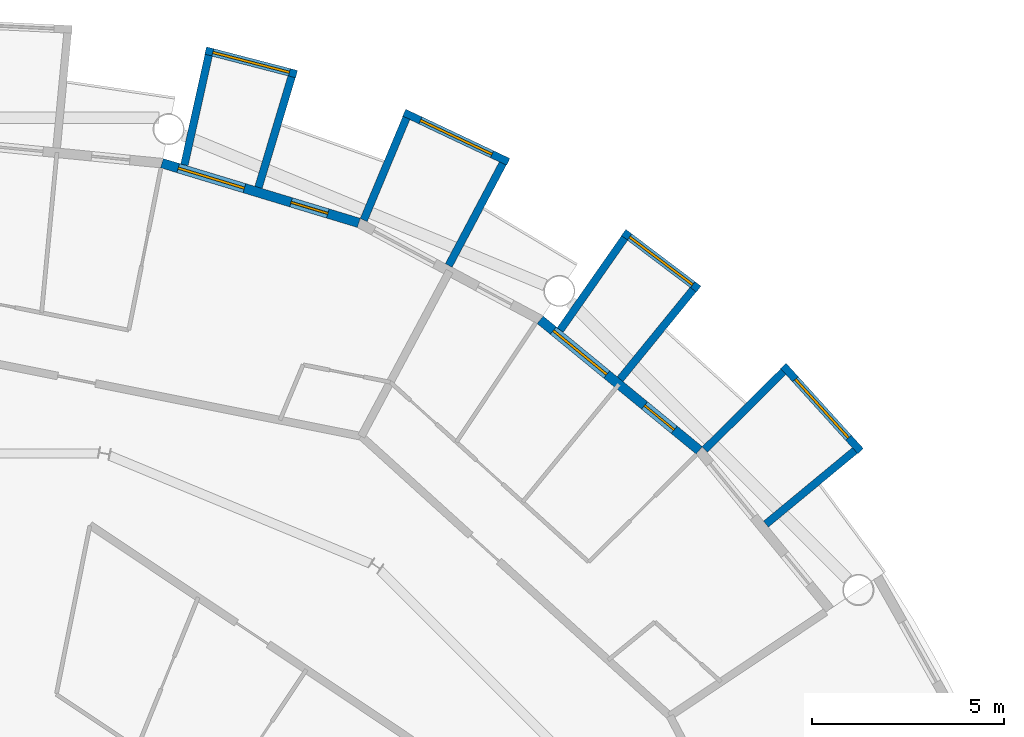
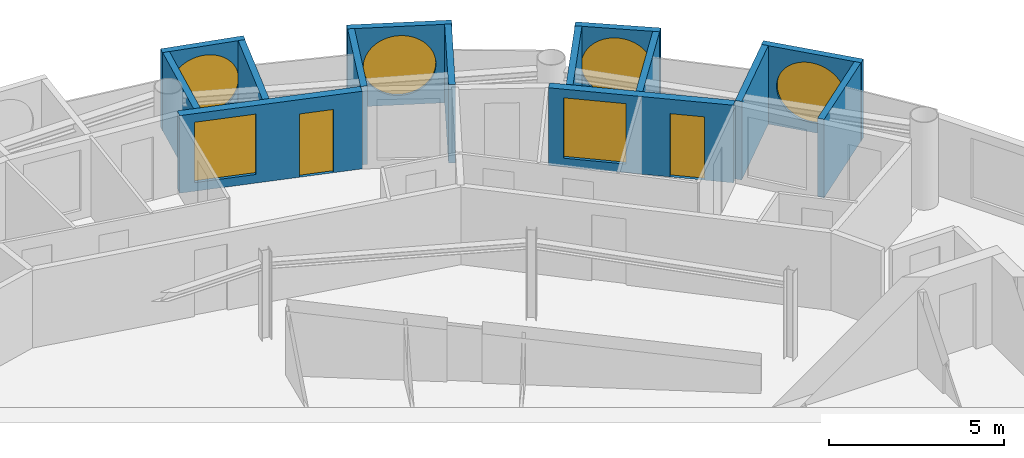
# One storey, part 24 of 28: 14 walls, 6 windows, 2 doors, 8 openings.
"""IFC4 building model written with IfcOpenShell, lengths in metres."""

from ifc_helpers import new_model, si_unit, direction, frame, frame_2d, origin, place, context, subcontext, project, spatial, rectangle, circle, extrude, material, layer, layer_set, type_object, element, fill, save


model = new_model("IFC4")

# Units and contexts
model_context = context("Model", 3, precision=1e-05, world=origin(), true_north=direction((0.0, 1.0)))
body_context = subcontext(model_context, "Body", "Model", "MODEL_VIEW")
ifc_project = project(units=[si_unit("LENGTHUNIT", "METRE"), si_unit("AREAUNIT", "SQUARE_METRE"), si_unit("VOLUMEUNIT", "CUBIC_METRE"), si_unit("PLANEANGLEUNIT", "RADIAN"), si_unit("MASSUNIT", "GRAM", prefix="KILO")], contexts=[model_context])

# Site, building, storey
site_placement = place(None, origin())
site = spatial("IfcSite", under=ifc_project, at=site_placement, CompositionType="ELEMENT")
building_placement = place(site_placement, origin())
building = spatial("IfcBuilding", under=site, at=building_placement, Name="Maasbend Ring Residences", CompositionType="ELEMENT")
storey_placement = place(building_placement, frame((0.0, 0.0, 227.949951171875)))
storey = spatial("IfcBuildingStorey", under=building, at=storey_placement, Name="L65", CompositionType="ELEMENT", Elevation=227.949951171875)

# Wall, opening, window
ifc_material_1 = material(Name="Pale anodised aluminium panel", Category="aluminium")
ifc_layer_1 = layer(ifc_material_1, 0.199951171875)
ifc_layer_set_1 = layer_set([ifc_layer_1], Name="EW-BOX")
wall_type_1 = type_object("IfcWallType", Name="EW-BOX", PredefinedType="SOLIDWALL", material=ifc_layer_set_1)
wall_1_placement = place(storey_placement, frame((23.5029296875, 19.281982421875, -0.030029296875), z_axis=(0.0, 0.0, 1.0), x_axis=(-0.671506829416, 0.740998365753, 0.0)))
wall_1 = element("IfcWall", 1, at=wall_1_placement, inside=storey, type_object=wall_type_1, Name="Box front N02", PredefinedType="SOLIDWALL", context=body_context, shape_type="SweptSolid", body=[
    extrude(rectangle(XDim=2.9931640625, YDim=0.199951171875, at=frame_2d((1.49658203125, 0.0))), origin(), (0.0, 0.0, 1.0), 2.72998046875),
])
opening_1_placement = place(wall_1_placement, frame((0.45654296875, 0.0, 0.330078125)))
opening_1 = element("IfcOpeningElement", 2, at=opening_1_placement, cuts=wall_1, Name="Opening W-RD", PredefinedType="OPENING", context=body_context, shape_type="SweptSolid", body=[
    extrude(circle(Radius=1.0400390625, at=frame_2d((1.0400390625, 1.0400390625))), frame((0.0, 0.10986328125, 0.0), z_axis=(0.0, -1.0, 0.0), x_axis=(1.0, 0.0, 0.0)), (0.0, 0.0, 1.0), 0.219970703125),
])
ifc_material_2 = material(Name="Aluminium and clear glass", Category="aluminium")
window_type_1 = type_object("IfcWindowType", Name="W-RD", PartitioningType="SINGLE_PANEL", PredefinedType="WINDOW", material=ifc_material_2)
window_1_placement = place(opening_1_placement, origin())
window_1 = element("IfcWindow", 3, at=window_1_placement, inside=storey, type_object=window_type_1, Name="Round window N02", OverallHeight=2.080078125, OverallWidth=2.080078125, PartitioningType="SINGLE_PANEL", PredefinedType="WINDOW", context=body_context, shape_type="SweptSolid", body=[
    extrude(circle(Radius=1.0400390625, at=frame_2d((1.0400390625, 1.0400390625))), frame((0.0, 0.030029296875, 0.0), z_axis=(0.0, -1.0, 0.0), x_axis=(1.0, 0.0, 0.0)), (0.0, 0.0, 1.0), 0.06005859375),
])
fill(opening_1, window_1)

# Walls
wall_2_placement = place(storey_placement, frame((21.041015625, 17.384033203125, -0.030029296875), z_axis=(0.0, 0.0, 1.0), x_axis=(0.770784861449, 0.63709551667, 0.0)))
element("IfcWall", 4, at=wall_2_placement, inside=storey, type_object=wall_type_1, Name="Box side wall N02 left", PredefinedType="SOLIDWALL", context=body_context, shape_type="SweptSolid", body=[
    extrude(rectangle(XDim=3.005859375, YDim=0.199951171875, at=frame_2d((1.5029296875, 0.0))), origin(), (0.0, 0.0, 1.0), 2.72998046875),
])
wall_3_placement = place(storey_placement, frame((19.449951171875, 19.322998046875, -0.030029296875), z_axis=(0.0, 0.0, 1.0), x_axis=(0.709727076896, 0.704476739375, 0.0)))
element("IfcWall", 5, at=wall_3_placement, inside=storey, type_object=wall_type_1, Name="Box side wall N02 right", PredefinedType="SOLIDWALL", context=body_context, shape_type="SweptSolid", body=[
    extrude(rectangle(XDim=2.883056640625, YDim=0.199951171875, at=frame_2d((1.44140625, 0.0))), origin(), (0.0, 0.0, 1.0), 2.72998046875),
])

# Wall, opening, window
wall_4_placement = place(storey_placement, frame((19.2890625, 23.4970703125, -0.030029296875), z_axis=(0.0, 0.0, 1.0), x_axis=(-0.797887588059, 0.602806268067, 0.0)))
wall_4 = element("IfcWall", 6, at=wall_4_placement, inside=storey, type_object=wall_type_1, Name="Box front N04", PredefinedType="SOLIDWALL", context=body_context, shape_type="SweptSolid", body=[
    extrude(rectangle(XDim=2.446533203125, YDim=0.199951171875, at=frame_2d((1.22314453125, 0.0))), origin(), (0.0, 0.0, 1.0), 2.72998046875),
])
opening_2_placement = place(wall_4_placement, frame((0.182861328125, 0.0, 0.330078125)))
opening_2 = element("IfcOpeningElement", 7, at=opening_2_placement, cuts=wall_4, Name="Opening W-RD", PredefinedType="OPENING", context=body_context, shape_type="SweptSolid", body=[
    extrude(circle(Radius=1.0400390625, at=frame_2d((1.0400390625, 1.0400390625))), frame((0.0, 0.10986328125, 0.0), z_axis=(0.0, -1.0, 0.0), x_axis=(1.0, 0.0, 0.0)), (0.0, 0.0, 1.0), 0.219970703125),
])
window_2_placement = place(opening_2_placement, origin())
window_2 = element("IfcWindow", 8, at=window_2_placement, inside=storey, type_object=window_type_1, Name="Round window N04", OverallHeight=2.080078125, OverallWidth=2.080078125, PartitioningType="SINGLE_PANEL", PredefinedType="WINDOW", context=body_context, shape_type="SweptSolid", body=[
    extrude(circle(Radius=1.0400390625, at=frame_2d((1.0400390625, 1.0400390625))), frame((0.0, 0.030029296875, 0.0), z_axis=(0.0, -1.0, 0.0), x_axis=(1.0, 0.0, 0.0)), (0.0, 0.0, 1.0), 0.06005859375),
])
fill(opening_2, window_2)

# Walls
wall_5_placement = place(storey_placement, frame((17.24609375, 21.155029296875, -0.030029296875), z_axis=(0.0, 0.0, 1.0), x_axis=(0.631741648902, 0.775179004516, 0.0)))
element("IfcWall", 9, at=wall_5_placement, inside=storey, type_object=wall_type_1, Name="Box side wall N04 left", PredefinedType="SOLIDWALL", context=body_context, shape_type="SweptSolid", body=[
    extrude(rectangle(XDim=3.005859375, YDim=0.199951171875, at=frame_2d((1.5029296875, 0.0))), origin(), (0.0, 0.0, 1.0), 2.72998046875),
])
wall_6_placement = place(storey_placement, frame((15.68798828125, 22.43310546875, -0.030029296875), z_axis=(0.0, 0.0, 1.0), x_axis=(0.573260687834, 0.819373043115, 0.0)))
element("IfcWall", 10, at=wall_6_placement, inside=storey, type_object=wall_type_1, Name="Box side wall N04 right", PredefinedType="SOLIDWALL", context=body_context, shape_type="SweptSolid", body=[
    extrude(rectangle(XDim=2.92529296875, YDim=0.199951171875, at=frame_2d((1.462646484375, 0.0))), origin(), (0.0, 0.0, 1.0), 2.72998046875),
])

# Wall, opening, window
wall_7_placement = place(storey_placement, frame((14.3349609375, 26.80810546875, -0.030029296875), z_axis=(0.0, 0.0, 1.0), x_axis=(-0.904000060331, 0.427532327342, 0.0)))
wall_7 = element("IfcWall", 11, at=wall_7_placement, inside=storey, type_object=wall_type_1, Name="Box front N06", PredefinedType="SOLIDWALL", context=body_context, shape_type="SweptSolid", body=[
    extrude(rectangle(XDim=2.993408203125, YDim=0.199951171875, at=frame_2d((1.49658203125, 0.0))), origin(), (0.0, 0.0, 1.0), 2.72998046875),
])
opening_3_placement = place(wall_7_placement, frame((0.45654296875, 0.0, 0.330078125)))
opening_3 = element("IfcOpeningElement", 12, at=opening_3_placement, cuts=wall_7, Name="Opening W-RD", PredefinedType="OPENING", context=body_context, shape_type="SweptSolid", body=[
    extrude(circle(Radius=1.0400390625, at=frame_2d((1.0400390625, 1.0400390625))), frame((0.0, 0.10986328125, 0.0), z_axis=(0.0, -1.0, 0.0), x_axis=(1.0, 0.0, 0.0)), (0.0, 0.0, 1.0), 0.219970703125),
])
window_3_placement = place(opening_3_placement, origin())
window_3 = element("IfcWindow", 13, at=window_3_placement, inside=storey, type_object=window_type_1, Name="Round window N06", OverallHeight=2.080078125, OverallWidth=2.080078125, PartitioningType="SINGLE_PANEL", PredefinedType="WINDOW", context=body_context, shape_type="SweptSolid", body=[
    extrude(circle(Radius=1.0400390625, at=frame_2d((1.0400390625, 1.0400390625))), frame((0.0, 0.030029296875, 0.0), z_axis=(0.0, -1.0, 0.0), x_axis=(1.0, 0.0, 0.0)), (0.0, 0.0, 1.0), 0.06005859375),
])
fill(opening_3, window_3)

# Walls
wall_8_placement = place(storey_placement, frame((12.787109375, 24.113037109375, -0.030029296875), z_axis=(0.0, 0.0, 1.0), x_axis=(0.468365282436, 0.883534924159, 0.0)))
element("IfcWall", 14, at=wall_8_placement, inside=storey, type_object=wall_type_1, Name="Box side wall N06 left", PredefinedType="SOLIDWALL", context=body_context, shape_type="SweptSolid", body=[
    extrude(rectangle(XDim=3.006103515625, YDim=0.199951171875, at=frame_2d((1.5029296875, 0.0))), origin(), (0.0, 0.0, 1.0), 2.72998046875),
])
wall_9_placement = place(storey_placement, frame((10.574951171875, 25.294921875, -0.030029296875), z_axis=(0.0, 0.0, 1.0), x_axis=(0.385697364644, 0.922625353492, 0.0)))
element("IfcWall", 15, at=wall_9_placement, inside=storey, type_object=wall_type_1, Name="Box side wall N06 right", PredefinedType="SOLIDWALL", context=body_context, shape_type="SweptSolid", body=[
    extrude(rectangle(XDim=2.88330078125, YDim=0.199951171875, at=frame_2d((1.441650390625, 0.0))), origin(), (0.0, 0.0, 1.0), 2.72998046875),
])

# Wall, opening, window
wall_10_placement = place(storey_placement, frame((8.8291015625, 29.090087890625, -0.030029296875), z_axis=(0.0, 0.0, 1.0), x_axis=(-0.96789536872, 0.251353446784, 0.0)))
wall_10 = element("IfcWall", 16, at=wall_10_placement, inside=storey, type_object=wall_type_1, Name="Box front N08", PredefinedType="SOLIDWALL", context=body_context, shape_type="SweptSolid", body=[
    extrude(rectangle(XDim=2.44677734375, YDim=0.199951171875, at=frame_2d((1.223388671875, 0.0))), origin(), (0.0, 0.0, 1.0), 2.72998046875),
])
opening_4_placement = place(wall_10_placement, frame((0.182861328125, 0.0, 0.330078125)))
opening_4 = element("IfcOpeningElement", 17, at=opening_4_placement, cuts=wall_10, Name="Opening W-RD", PredefinedType="OPENING", context=body_context, shape_type="SweptSolid", body=[
    extrude(circle(Radius=1.0400390625, at=frame_2d((1.0400390625, 1.0400390625))), frame((0.0, 0.10986328125, 0.0), z_axis=(0.0, -1.0, 0.0), x_axis=(1.0, 0.0, 0.0)), (0.0, 0.0, 1.0), 0.219970703125),
])
window_4_placement = place(opening_4_placement, origin())
window_4 = element("IfcWindow", 18, at=window_4_placement, inside=storey, type_object=window_type_1, Name="Round window N08", OverallHeight=2.080078125, OverallWidth=2.080078125, PartitioningType="SINGLE_PANEL", PredefinedType="WINDOW", context=body_context, shape_type="SweptSolid", body=[
    extrude(circle(Radius=1.0400390625, at=frame_2d((1.0400390625, 1.0400390625))), frame((0.0, 0.030029296875, 0.0), z_axis=(0.0, -1.0, 0.0), x_axis=(1.0, 0.0, 0.0)), (0.0, 0.0, 1.0), 0.06005859375),
])
fill(opening_4, window_4)

# Walls
wall_11_placement = place(storey_placement, frame((7.8369140625, 26.14404296875, -0.030029296875), z_axis=(0.0, 0.0, 1.0), x_axis=(0.287064767992, 0.957911174889, 0.0)))
element("IfcWall", 19, at=wall_11_placement, inside=storey, type_object=wall_type_1, Name="Box side wall N08 left", PredefinedType="SOLIDWALL", context=body_context, shape_type="SweptSolid", body=[
    extrude(rectangle(XDim=3.00634765625, YDim=0.199951171875, at=frame_2d((1.503173828125, 0.0))), origin(), (0.0, 0.0, 1.0), 2.72998046875),
])
wall_12_placement = place(storey_placement, frame((5.908935546875, 26.72900390625, -0.030029296875), z_axis=(0.0, 0.0, 1.0), x_axis=(0.216409053917, 0.976302781612, 0.0)))
element("IfcWall", 20, at=wall_12_placement, inside=storey, type_object=wall_type_1, Name="Box side wall N08 right", PredefinedType="SOLIDWALL", context=body_context, shape_type="SweptSolid", body=[
    extrude(rectangle(XDim=2.92529296875, YDim=0.199951171875, at=frame_2d((1.462646484375, 0.0))), origin(), (0.0, 0.0, 1.0), 2.72998046875),
])

# Wall, openings, door, window
ifc_material_3 = material(Name="Aluminium clad insulated panel", Category="aluminium")
ifc_layer_2 = layer(ifc_material_3, 0.25)
ifc_layer_set_2 = layer_set([ifc_layer_2], Name="EW-GL")
wall_type_2 = type_object("IfcWallType", Name="EW-GL", PredefinedType="SOLIDWALL", material=ifc_layer_set_2)
wall_13_placement = place(storey_placement, frame((19.303955078125, 19.303955078125, 0.0), z_axis=(0.0, 0.0, 1.0), x_axis=(-0.773019449054, 0.634382322723, 0.0)))
wall_13 = element("IfcWall", 21, at=wall_13_placement, inside=storey, type_object=wall_type_2, Name="External wall N02", PredefinedType="SOLIDWALL", context=body_context, shape_type="SweptSolid", body=[
    extrude(rectangle(XDim=5.351806640625, YDim=0.25, at=frame_2d((2.67578125, 0.0))), origin(), (0.0, 0.0, 1.0), 2.699951171875),
])
opening_5_placement = place(wall_13_placement, frame((0.841064453125, 0.0, 0.0)))
opening_5 = element("IfcOpeningElement", 22, at=opening_5_placement, cuts=wall_13, Name="Opening D-LG", PredefinedType="OPENING", context=body_context, shape_type="SweptSolid", body=[
    extrude(rectangle(XDim=1.0, YDim=2.199951171875, at=frame_2d((0.5, 1.10009765625))), frame((0.0, 0.135009765625, 0.0), z_axis=(0.0, -1.0, 0.0), x_axis=(1.0, 0.0, 0.0)), (0.0, 0.0, 1.0), 0.27001953125),
])
opening_6_placement = place(wall_13_placement, frame((3.110595703125, 0.0, 0.300048828125)))
opening_6 = element("IfcOpeningElement", 23, at=opening_6_placement, cuts=wall_13, Name="Opening W-BX", PredefinedType="OPENING", context=body_context, shape_type="SweptSolid", body=[
    extrude(rectangle(XDim=1.800048828125, YDim=2.10009765625, at=frame_2d((0.89990234375, 1.050048828125))), frame((0.0, 0.135009765625, 0.0), z_axis=(0.0, -1.0, 0.0), x_axis=(1.0, 0.0, 0.0)), (0.0, 0.0, 1.0), 0.27001953125),
])
ifc_material_4 = material(Name="Aluminium and clear glass", Category="aluminium")
door_type = type_object("IfcDoorType", Name="D-LG", OperationType="SINGLE_SWING_LEFT", PredefinedType="DOOR", material=ifc_material_4)
door_1_placement = place(opening_5_placement, origin())
door_1 = element("IfcDoor", 24, at=door_1_placement, inside=storey, type_object=door_type, Name="Loggia door N03", OperationType="SINGLE_SWING_LEFT", OverallHeight=2.199951171875, OverallWidth=1.0, PredefinedType="DOOR", context=body_context, shape_type="SweptSolid", body=[
    extrude(rectangle(XDim=1.0, YDim=2.199951171875, at=frame_2d((0.5, 1.10009765625))), frame((0.0, 0.02490234375, 0.0), z_axis=(0.0, -1.0, 0.0), x_axis=(1.0, 0.0, 0.0)), (0.0, 0.0, 1.0), 0.050048828125),
])
fill(opening_5, door_1)
ifc_material_5 = material(Name="Aluminium and clear glass", Category="aluminium")
window_type_2 = type_object("IfcWindowType", Name="W-BX", PartitioningType="DOUBLE_PANEL_VERTICAL", PredefinedType="WINDOW", material=ifc_material_5)
window_5_placement = place(opening_6_placement, origin())
window_5 = element("IfcWindow", 25, at=window_5_placement, inside=storey, type_object=window_type_2, Name="Window N04 room to box", OverallHeight=2.10009765625, OverallWidth=1.800048828125, PartitioningType="SINGLE_PANEL", PredefinedType="WINDOW", context=body_context, shape_type="SweptSolid", body=[
    extrude(rectangle(XDim=1.800048828125, YDim=2.10009765625, at=frame_2d((0.89990234375, 1.050048828125))), frame((0.0, 0.030029296875, 0.0), z_axis=(0.0, -1.0, 0.0), x_axis=(1.0, 0.0, 0.0)), (0.0, 0.0, 1.0), 0.06005859375),
])
fill(opening_6, window_5)

wall_14_placement = place(storey_placement, frame((10.447021484375, 25.221923828125, 0.0), z_axis=(0.0, 0.0, 1.0), x_axis=(-0.956965678721, 0.290201119486, 0.0)))
wall_14 = element("IfcWall", 26, at=wall_14_placement, inside=storey, type_object=wall_type_2, Name="External wall N04", PredefinedType="SOLIDWALL", context=body_context, shape_type="SweptSolid", body=[
    extrude(rectangle(XDim=5.351318359375, YDim=0.25, at=frame_2d((2.67578125, 0.0))), origin(), (0.0, 0.0, 1.0), 2.699951171875),
])
opening_7_placement = place(wall_14_placement, frame((0.841064453125, 0.0, 0.0)))
opening_7 = element("IfcOpeningElement", 27, at=opening_7_placement, cuts=wall_14, Name="Opening D-LG", PredefinedType="OPENING", context=body_context, shape_type="SweptSolid", body=[
    extrude(rectangle(XDim=1.0, YDim=2.199951171875, at=frame_2d((0.5, 1.10009765625))), frame((0.0, 0.135009765625, 0.0), z_axis=(0.0, -1.0, 0.0), x_axis=(1.0, 0.0, 0.0)), (0.0, 0.0, 1.0), 0.27001953125),
])
opening_8_placement = place(wall_14_placement, frame((3.110595703125, 0.0, 0.300048828125)))
opening_8 = element("IfcOpeningElement", 28, at=opening_8_placement, cuts=wall_14, Name="Opening W-BX", PredefinedType="OPENING", context=body_context, shape_type="SweptSolid", body=[
    extrude(rectangle(XDim=1.800048828125, YDim=2.10009765625, at=frame_2d((0.89990234375, 1.050048828125))), frame((0.0, 0.135009765625, 0.0), z_axis=(0.0, -1.0, 0.0), x_axis=(1.0, 0.0, 0.0)), (0.0, 0.0, 1.0), 0.27001953125),
])
door_2_placement = place(opening_7_placement, origin())
door_2 = element("IfcDoor", 29, at=door_2_placement, inside=storey, type_object=door_type, Name="Loggia door N07", OperationType="SINGLE_SWING_LEFT", OverallHeight=2.199951171875, OverallWidth=1.0, PredefinedType="DOOR", context=body_context, shape_type="SweptSolid", body=[
    extrude(rectangle(XDim=1.0, YDim=2.199951171875, at=frame_2d((0.5, 1.10009765625))), frame((0.0, 0.02490234375, 0.0), z_axis=(0.0, -1.0, 0.0), x_axis=(1.0, 0.0, 0.0)), (0.0, 0.0, 1.0), 0.050048828125),
])
fill(opening_7, door_2)
window_6_placement = place(opening_8_placement, origin())
window_6 = element("IfcWindow", 30, at=window_6_placement, inside=storey, type_object=window_type_2, Name="Window N08 room to box", OverallHeight=2.10009765625, OverallWidth=1.800048828125, PartitioningType="SINGLE_PANEL", PredefinedType="WINDOW", context=body_context, shape_type="SweptSolid", body=[
    extrude(rectangle(XDim=1.800048828125, YDim=2.10009765625, at=frame_2d((0.89990234375, 1.050048828125))), frame((0.0, 0.030029296875, 0.0), z_axis=(0.0, -1.0, 0.0), x_axis=(1.0, 0.0, 0.0)), (0.0, 0.0, 1.0), 0.06005859375),
])
fill(opening_8, window_6)

save(model, "model.ifc")
